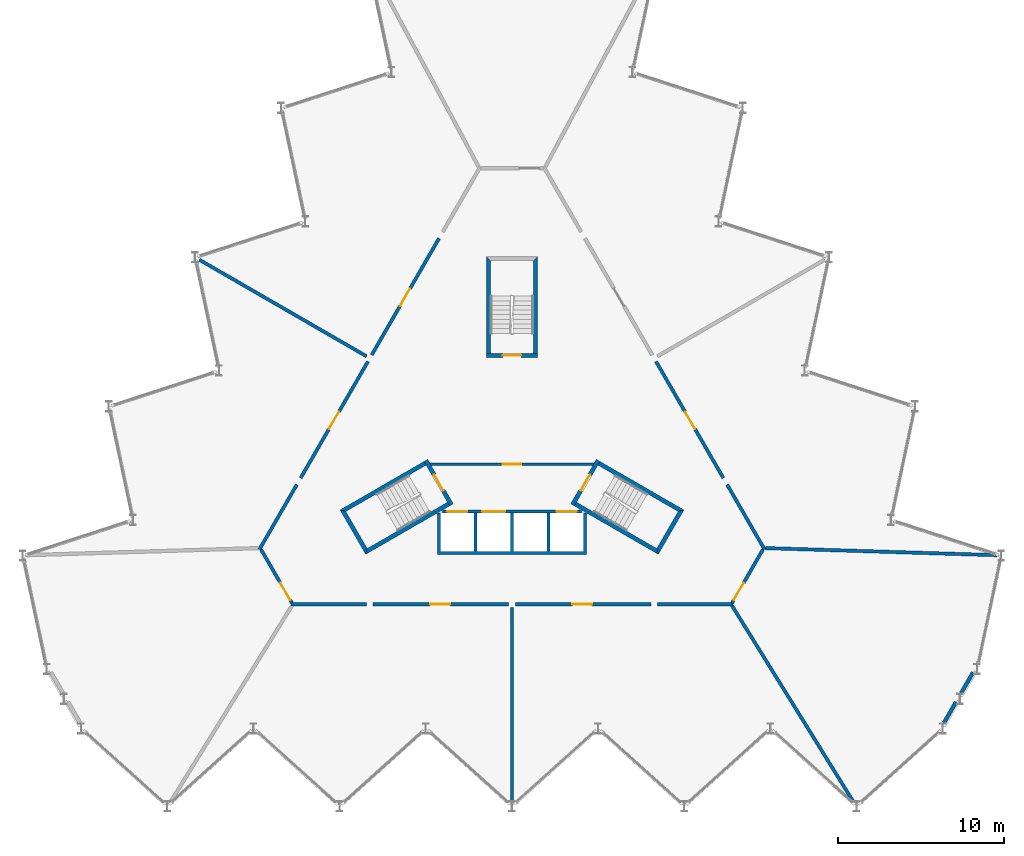
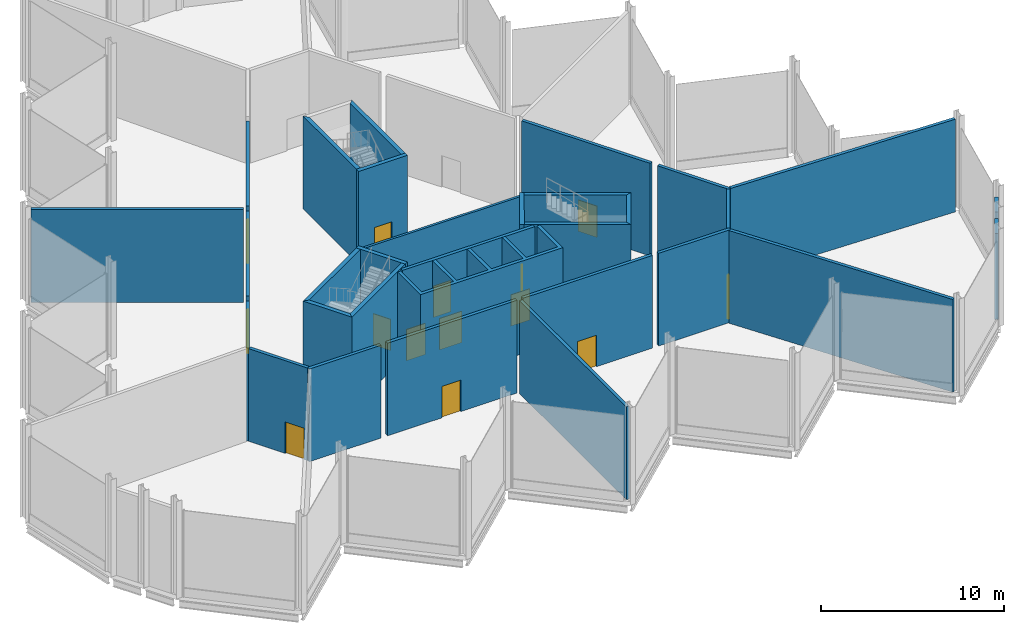
# One storey, part 10 of 12: 31 walls, 14 doors, 14 openings.
"""IFC4 building model written with IfcOpenShell, lengths in metres."""

from ifc_helpers import new_model, si_unit, direction, frame, frame_2d, origin, place, context, subcontext, project, spatial, polyline, rectangle, outline, extrude, material, layer, layer_set, type_object, element, fill, save


model = new_model("IFC4")

# Units and contexts
model_context = context("Model", 3, precision=1e-05, world=origin(), true_north=direction((0.0, 1.0)))
body_context = subcontext(model_context, "Body", "Model", "MODEL_VIEW")
ifc_project = project(units=[si_unit("LENGTHUNIT", "METRE"), si_unit("AREAUNIT", "SQUARE_METRE"), si_unit("VOLUMEUNIT", "CUBIC_METRE"), si_unit("PLANEANGLEUNIT", "RADIAN"), si_unit("MASSUNIT", "GRAM", prefix="KILO")], contexts=[model_context])

# Site, building, storey
site_placement = place(None, origin())
site = spatial("IfcSite", under=ifc_project, at=site_placement, CompositionType="ELEMENT")
building_placement = place(site_placement, origin())
building = spatial("IfcBuilding", under=site, at=building_placement, Name="Cormorant Prow Tower", CompositionType="ELEMENT")
storey_placement = place(building_placement, frame((0.0, 0.0, 415.199951171875)))
storey = spatial("IfcBuildingStorey", under=building, at=storey_placement, Name="L94", CompositionType="ELEMENT", Elevation=415.199951171875)

# Wall, opening, door
ifc_material_1 = material(Name="Gypsum board partition")
ifc_layer_1 = layer(ifc_material_1, 0.14990234375)
ifc_layer_set_1 = layer_set([ifc_layer_1], Name="Gypsum board partition")
wall_type_1 = type_object("IfcWallType", Name="Core partition 150", PredefinedType="PARTITIONING", material=ifc_layer_set_1)
wall_1_placement = place(storey_placement, frame((-4.941162109375, -1.449951171875, 0.0), z_axis=(0.0, 0.0, 1.0), x_axis=(1.0, 0.0, 0.0)))
wall_1 = element("IfcWall", 1, at=wall_1_placement, inside=storey, type_object=wall_type_1, Name="Firefighting lobby partition", PredefinedType="PARTITIONING", context=body_context, shape_type="SweptSolid", body=[
    extrude(rectangle(XDim=9.88232421875, YDim=0.14990234375, at=frame_2d((4.941162109375, 0.0))), origin(), (0.0, 0.0, 1.0), 6.199951171875),
])
opening_1_placement = place(wall_1_placement, frame((4.39111328125, 0.0, 0.0)))
opening_1 = element("IfcOpeningElement", 2, at=opening_1_placement, cuts=wall_1, Name="Opening L94-C04", PredefinedType="OPENING", context=body_context, shape_type="SweptSolid", body=[
    extrude(rectangle(XDim=1.10009765625, YDim=2.10009765625, at=frame_2d((0.550048828125, 1.050048828125))), frame((0.0, 0.0849609375, 0.0), z_axis=(0.0, -1.0, 0.0), x_axis=(1.0, 0.0, 0.0)), (0.0, 0.0, 1.0), 0.169921875),
])
ifc_material_2 = material(Name="Painted steel", Category="steel")
door_type_1 = type_object("IfcDoorType", Name="Firefighting lobby door 1100x2100", OperationType="NOTDEFINED", PredefinedType="DOOR", material=ifc_material_2)
door_1_placement = place(opening_1_placement, origin())
door_1 = element("IfcDoor", 3, at=door_1_placement, inside=storey, type_object=door_type_1, Name="Firefighting lobby door", OperationType="SINGLE_SWING_LEFT", OverallHeight=2.10009765625, OverallWidth=1.10009765625, PredefinedType="DOOR", context=body_context, shape_type="SweptSolid", body=[
    extrude(rectangle(XDim=1.10009765625, YDim=2.10009765625, at=frame_2d((0.550048828125, 1.050048828125))), frame((0.0, 0.02490234375, 0.0), z_axis=(0.0, -1.0, 0.0), x_axis=(1.0, 0.0, 0.0)), (0.0, 0.0, 1.0), 0.050048828125),
])
fill(opening_1, door_1)

ifc_material_3 = material(Name="Gypsum board corridor wall")
ifc_layer_2 = layer(ifc_material_3, 0.199951171875)
ifc_layer_set_2 = layer_set([ifc_layer_2], Name="Gypsum board corridor wall")
wall_type_2 = type_object("IfcWallType", Name="Corridor wall 200", PredefinedType="PARTITIONING", material=ifc_layer_set_2)
wall_2_placement = place(storey_placement, frame((-8.381591796875, -9.905517578125, 0.0), z_axis=(0.0, 0.0, 1.0), x_axis=(1.0, 0.0, 0.0)))
wall_2 = element("IfcWall", 4, at=wall_2_placement, inside=storey, type_object=wall_type_2, Name="Corridor wall", PredefinedType="PARTITIONING", context=body_context, shape_type="SweptSolid", body=[
    extrude(rectangle(XDim=8.1845703125, YDim=0.199951171875, at=frame_2d((4.09228515625, 0.0))), origin(), (0.0, 0.0, 1.0), 6.199951171875),
])
opening_2_placement = place(wall_2_placement, frame((3.441650390625, 0.0, 0.0)))
opening_2 = element("IfcOpeningElement", 5, at=opening_2_placement, cuts=wall_2, Name="Opening L94-F03", PredefinedType="OPENING", context=body_context, shape_type="SweptSolid", body=[
    extrude(rectangle(XDim=1.199951171875, YDim=2.10009765625, at=frame_2d((0.60009765625, 1.050048828125))), frame((0.0, 0.10986328125, 0.0), z_axis=(0.0, -1.0, 0.0), x_axis=(1.0, 0.0, 0.0)), (0.0, 0.0, 1.0), 0.219970703125),
])
ifc_material_4 = material(Name="Timber door leaf", Category="wood")
door_type_2 = type_object("IfcDoorType", Name="Plant room door 1200x2100", OperationType="NOTDEFINED", PredefinedType="DOOR", material=ifc_material_4)
door_2_placement = place(opening_2_placement, origin())
door_2 = element("IfcDoor", 6, at=door_2_placement, inside=storey, type_object=door_type_2, Name="Water tank room door", OperationType="SINGLE_SWING_RIGHT", OverallHeight=2.10009765625, OverallWidth=1.199951171875, PredefinedType="DOOR", context=body_context, shape_type="SweptSolid", body=[
    extrude(rectangle(XDim=1.199951171875, YDim=2.10009765625, at=frame_2d((0.60009765625, 1.050048828125))), frame((0.0, 0.02490234375, 0.0), z_axis=(0.0, -1.0, 0.0), x_axis=(1.0, 0.0, 0.0)), (0.0, 0.0, 1.0), 0.050048828125),
])
fill(opening_2, door_2)

wall_3_placement = place(storey_placement, frame((0.197021484375, -9.905517578125, 0.0), z_axis=(0.0, 0.0, 1.0), x_axis=(1.0, 0.0, 0.0)))
wall_3 = element("IfcWall", 7, at=wall_3_placement, inside=storey, type_object=wall_type_2, Name="Corridor wall", PredefinedType="PARTITIONING", context=body_context, shape_type="SweptSolid", body=[
    extrude(rectangle(XDim=8.1845703125, YDim=0.199951171875, at=frame_2d((4.09228515625, 0.0))), origin(), (0.0, 0.0, 1.0), 6.199951171875),
])
opening_3_placement = place(wall_3_placement, frame((3.441650390625, 0.0, 0.0)))
opening_3 = element("IfcOpeningElement", 8, at=opening_3_placement, cuts=wall_3, Name="Opening L94-F04", PredefinedType="OPENING", context=body_context, shape_type="SweptSolid", body=[
    extrude(rectangle(XDim=1.199951171875, YDim=2.10009765625, at=frame_2d((0.60009765625, 1.050048828125))), frame((0.0, 0.10986328125, 0.0), z_axis=(0.0, -1.0, 0.0), x_axis=(1.0, 0.0, 0.0)), (0.0, 0.0, 1.0), 0.219970703125),
])
door_3_placement = place(opening_3_placement, origin())
door_3 = element("IfcDoor", 9, at=door_3_placement, inside=storey, type_object=door_type_2, Name="Electrical switch room door", OperationType="SINGLE_SWING_LEFT", OverallHeight=2.10009765625, OverallWidth=1.199951171875, PredefinedType="DOOR", context=body_context, shape_type="SweptSolid", body=[
    extrude(rectangle(XDim=1.199951171875, YDim=2.10009765625, at=frame_2d((0.60009765625, 1.050048828125))), frame((0.0, 0.02490234375, 0.0), z_axis=(0.0, -1.0, 0.0), x_axis=(1.0, 0.0, 0.0)), (0.0, 0.0, 1.0), 0.050048828125),
])
fill(opening_3, door_3)

wall_4_placement = place(storey_placement, frame((-8.464599609375, 5.14990234375, 0.0), z_axis=(0.0, 0.0, 1.0), x_axis=(0.499992155518, 0.866029932751, 0.0)))
wall_4 = element("IfcWall", 10, at=wall_4_placement, inside=storey, type_object=wall_type_2, Name="Corridor wall", PredefinedType="PARTITIONING", context=body_context, shape_type="SweptSolid", body=[
    extrude(rectangle(XDim=8.123291015625, YDim=0.199951171875, at=frame_2d((4.0615234375, 0.0))), origin(), (0.0, 0.0, 1.0), 6.199951171875),
])
opening_4_placement = place(wall_4_placement, frame((3.41162109375, 0.0, 0.0)))
opening_4 = element("IfcOpeningElement", 11, at=opening_4_placement, cuts=wall_4, Name="Opening L94-F07", PredefinedType="OPENING", context=body_context, shape_type="SweptSolid", body=[
    extrude(rectangle(XDim=1.199951171875, YDim=2.10009765625, at=frame_2d((0.60009765625, 1.050048828125))), frame((0.0, 0.10986328125, 0.0), z_axis=(0.0, -1.0, 0.0), x_axis=(1.0, 0.0, 0.0)), (0.0, 0.0, 1.0), 0.219970703125),
])
door_4_placement = place(opening_4_placement, origin())
door_4 = element("IfcDoor", 12, at=door_4_placement, inside=storey, type_object=door_type_2, Name="Lift machine room door", OperationType="SINGLE_SWING_LEFT", OverallHeight=2.10009765625, OverallWidth=1.199951171875, PredefinedType="DOOR", context=body_context, shape_type="SweptSolid", body=[
    extrude(rectangle(XDim=1.199951171875, YDim=2.10009765625, at=frame_2d((0.60009765625, 1.050048828125))), frame((0.0, 0.02490234375, 0.0), z_axis=(0.0, -1.0, 0.0), x_axis=(1.0, 0.0, 0.0)), (0.0, 0.0, 1.0), 0.050048828125),
])
fill(opening_4, door_4)

wall_5_placement = place(storey_placement, frame((-12.75390625, -2.279296875, 0.0), z_axis=(0.0, 0.0, 1.0), x_axis=(0.500001682468, 0.866024432409, 0.0)))
wall_5 = element("IfcWall", 13, at=wall_5_placement, inside=storey, type_object=wall_type_2, Name="Corridor wall", PredefinedType="PARTITIONING", context=body_context, shape_type="SweptSolid", body=[
    extrude(rectangle(XDim=8.12353515625, YDim=0.199951171875, at=frame_2d((4.061767578125, 0.0))), origin(), (0.0, 0.0, 1.0), 6.199951171875),
])
opening_5_placement = place(wall_5_placement, frame((3.41162109375, 0.0, 0.0)))
opening_5 = element("IfcOpeningElement", 14, at=opening_5_placement, cuts=wall_5, Name="Opening L94-F05", PredefinedType="OPENING", context=body_context, shape_type="SweptSolid", body=[
    extrude(rectangle(XDim=1.199951171875, YDim=2.10009765625, at=frame_2d((0.60009765625, 1.050048828125))), frame((0.0, 0.10986328125, 0.0), z_axis=(0.0, -1.0, 0.0), x_axis=(1.0, 0.0, 0.0)), (0.0, 0.0, 1.0), 0.219970703125),
])
door_5_placement = place(opening_5_placement, origin())
door_5 = element("IfcDoor", 15, at=door_5_placement, inside=storey, type_object=door_type_2, Name="Air handling plant room door", OperationType="SINGLE_SWING_LEFT", OverallHeight=2.10009765625, OverallWidth=1.199951171875, PredefinedType="DOOR", context=body_context, shape_type="SweptSolid", body=[
    extrude(rectangle(XDim=1.199951171875, YDim=2.10009765625, at=frame_2d((0.60009765625, 1.050048828125))), frame((0.0, 0.02490234375, 0.0), z_axis=(0.0, -1.0, 0.0), x_axis=(1.0, 0.0, 0.0)), (0.0, 0.0, 1.0), 0.050048828125),
])
fill(opening_5, door_5)

wall_6_placement = place(storey_placement, frame((8.692138671875, 4.755859375, 0.0), z_axis=(0.0, 0.0, 1.0), x_axis=(0.500001682468, -0.866024432409, 0.0)))
wall_6 = element("IfcWall", 16, at=wall_6_placement, inside=storey, type_object=wall_type_2, Name="Corridor wall", PredefinedType="PARTITIONING", context=body_context, shape_type="SweptSolid", body=[
    extrude(rectangle(XDim=8.12353515625, YDim=0.199951171875, at=frame_2d((4.061767578125, 0.0))), origin(), (0.0, 0.0, 1.0), 6.199951171875),
])
opening_6_placement = place(wall_6_placement, frame((3.511962890625, 0.0, 0.0)))
opening_6 = element("IfcOpeningElement", 17, at=opening_6_placement, cuts=wall_6, Name="Opening L94-F06", PredefinedType="OPENING", context=body_context, shape_type="SweptSolid", body=[
    extrude(rectangle(XDim=1.199951171875, YDim=2.10009765625, at=frame_2d((0.60009765625, 1.050048828125))), frame((0.0, 0.10986328125, 0.0), z_axis=(0.0, -1.0, 0.0), x_axis=(1.0, 0.0, 0.0)), (0.0, 0.0, 1.0), 0.219970703125),
])
door_6_placement = place(opening_6_placement, origin())
door_6 = element("IfcDoor", 18, at=door_6_placement, inside=storey, type_object=door_type_2, Name="Damper plant room door", OperationType="SINGLE_SWING_LEFT", OverallHeight=2.10009765625, OverallWidth=1.199951171875, PredefinedType="DOOR", context=body_context, shape_type="SweptSolid", body=[
    extrude(rectangle(XDim=1.199951171875, YDim=2.10009765625, at=frame_2d((0.60009765625, 1.050048828125))), frame((0.0, 0.02490234375, 0.0), z_axis=(0.0, -1.0, 0.0), x_axis=(1.0, 0.0, 0.0)), (0.0, 0.0, 1.0), 0.050048828125),
])
fill(opening_6, door_6)

# Walls
for number, where, z_axis, x_axis, name in (
    (19, (-13.330810546875, -9.905517578125, 0.0), (0.0, 0.0, 1.0), (1.0, 0.0, 0.0), "Corridor wall"),
    (20, (8.775390625, -9.905517578125, 0.0), (0.0, 0.0, 1.0), (1.0, 0.0, 0.0), "Corridor wall"),
):
    element("IfcWall", number, at=place(storey_placement, frame(where, z_axis=z_axis, x_axis=x_axis)), inside=storey, type_object=wall_type_2, Name=name, PredefinedType="PARTITIONING", context=body_context, shape_type="SweptSolid", body=[
        extrude(rectangle(XDim=4.555419921875, YDim=0.199951171875, at=frame_2d((2.27783203125, 0.0))), origin(), (0.0, 0.0, 1.0), 6.199951171875),
    ])
for number, where, z_axis, x_axis, name in (
    (21, (-15.243896484375, -6.59228515625, 0.0), (0.0, 0.0, 1.0), (0.499974648164, 0.866040040179, 0.0), "Corridor wall"),
    (22, (12.9814453125, -2.67333984375, 0.0), (0.0, 0.0, 1.0), (0.499974648164, -0.866040040179, 0.0), "Corridor wall"),
):
    element("IfcWall", number, at=place(storey_placement, frame(where, z_axis=z_axis, x_axis=x_axis)), inside=storey, type_object=wall_type_2, Name=name, PredefinedType="PARTITIONING", context=body_context, shape_type="SweptSolid", body=[
        extrude(rectangle(XDim=4.525146484375, YDim=0.199951171875, at=frame_2d((2.2626953125, 0.0))), origin(), (0.0, 0.0, 1.0), 6.199951171875),
    ])

# Wall, opening, door
wall_7_placement = place(storey_placement, frame((-15.143798828125, -6.59228515625, 0.0), z_axis=(0.0, 0.0, 1.0), x_axis=(0.499958791762, -0.866049194065, 0.0)))
wall_7 = element("IfcWall", 23, at=wall_7_placement, inside=storey, type_object=wall_type_2, Name="Corridor wall", PredefinedType="PARTITIONING", context=body_context, shape_type="SweptSolid", body=[
    extrude(rectangle(XDim=3.725830078125, YDim=0.199951171875, at=frame_2d((1.86279296875, 0.0))), origin(), (0.0, 0.0, 1.0), 6.199951171875),
])
opening_7_placement = place(wall_7_placement, frame((2.324951171875, 0.0, 0.0)))
opening_7 = element("IfcOpeningElement", 24, at=opening_7_placement, cuts=wall_7, Name="Opening L94-F01", PredefinedType="OPENING", context=body_context, shape_type="SweptSolid", body=[
    extrude(rectangle(XDim=1.199951171875, YDim=2.10009765625, at=frame_2d((0.60009765625, 1.050048828125))), frame((0.0, 0.10986328125, 0.0), z_axis=(0.0, -1.0, 0.0), x_axis=(1.0, 0.0, 0.0)), (0.0, 0.0, 1.0), 0.219970703125),
])
door_7_placement = place(opening_7_placement, origin())
door_7 = element("IfcDoor", 25, at=door_7_placement, inside=storey, type_object=door_type_2, Name="Damper plant room door", OperationType="SINGLE_SWING_RIGHT", OverallHeight=2.10009765625, OverallWidth=1.199951171875, PredefinedType="DOOR", context=body_context, shape_type="SweptSolid", body=[
    extrude(rectangle(XDim=1.199951171875, YDim=2.10009765625, at=frame_2d((0.60009765625, 1.050048828125))), frame((0.0, 0.02490234375, 0.0), z_axis=(0.0, -1.0, 0.0), x_axis=(1.0, 0.0, 0.0)), (0.0, 0.0, 1.0), 0.050048828125),
])
fill(opening_7, door_7)

wall_8_placement = place(storey_placement, frame((13.281005859375, -9.819091796875, 0.0), z_axis=(0.0, 0.0, 1.0), x_axis=(0.499958791762, 0.866049194065, 0.0)))
wall_8 = element("IfcWall", 26, at=wall_8_placement, inside=storey, type_object=wall_type_2, Name="Corridor wall", PredefinedType="PARTITIONING", context=body_context, shape_type="SweptSolid", body=[
    extrude(rectangle(XDim=3.725830078125, YDim=0.199951171875, at=frame_2d((1.86279296875, 0.0))), origin(), (0.0, 0.0, 1.0), 6.199951171875),
])
opening_8_placement = place(wall_8_placement, frame((0.201171875, 0.0, 0.0)))
opening_8 = element("IfcOpeningElement", 27, at=opening_8_placement, cuts=wall_8, Name="Opening L94-F02", PredefinedType="OPENING", context=body_context, shape_type="SweptSolid", body=[
    extrude(rectangle(XDim=1.199951171875, YDim=2.10009765625, at=frame_2d((0.60009765625, 1.050048828125))), frame((0.0, 0.10986328125, 0.0), z_axis=(0.0, -1.0, 0.0), x_axis=(1.0, 0.0, 0.0)), (0.0, 0.0, 1.0), 0.219970703125),
])
door_8_placement = place(opening_8_placement, origin())
door_8 = element("IfcDoor", 28, at=door_8_placement, inside=storey, type_object=door_type_2, Name="Lift machine room door", OperationType="SINGLE_SWING_LEFT", OverallHeight=2.10009765625, OverallWidth=1.199951171875, PredefinedType="DOOR", context=body_context, shape_type="SweptSolid", body=[
    extrude(rectangle(XDim=1.199951171875, YDim=2.10009765625, at=frame_2d((0.60009765625, 1.050048828125))), frame((0.0, 0.02490234375, 0.0), z_axis=(0.0, -1.0, 0.0), x_axis=(1.0, 0.0, 0.0)), (0.0, 0.0, 1.0), 0.050048828125),
])
fill(opening_8, door_8)

# Walls
ifc_material_5 = material(Name="Gypsum board demising wall")
ifc_layer_3 = layer(ifc_material_5, 0.199951171875)
ifc_layer_set_3 = layer_set([ifc_layer_3], Name="Gypsum board demising wall")
wall_type_3 = type_object("IfcWallType", Name="Demising wall 200", PredefinedType="PARTITIONING", material=ifc_layer_set_3)
wall_9_placement = place(storey_placement, frame((15.293701171875, -6.508544921875, 0.0), z_axis=(0.0, 0.0, 1.0), x_axis=(0.999534583604, -0.030506002359, 0.0)))
element("IfcWall", 29, at=wall_9_placement, inside=storey, type_object=wall_type_3, Name="Demising wall", PredefinedType="PARTITIONING", context=body_context, shape_type="SweptSolid", body=[
    extrude(rectangle(XDim=13.973388671875, YDim=0.199951171875, at=frame_2d((6.98681640625, 0.0))), origin(), (0.0, 0.0, 1.0), 6.199951171875),
])
wall_10_placement = place(storey_placement, frame((13.283447265625, -9.990478515625, 0.0), z_axis=(0.0, 0.0, 1.0), x_axis=(0.526187960676, -0.850368290825, 0.0)))
element("IfcWall", 30, at=wall_10_placement, inside=storey, type_object=wall_type_3, Name="Demising wall", PredefinedType="PARTITIONING", context=body_context, shape_type="SweptSolid", body=[
    extrude(rectangle(XDim=13.92041015625, YDim=0.199951171875, at=frame_2d((6.960205078125, 0.0))), origin(), (0.0, 0.0, 1.0), 6.199951171875),
])
wall_11_placement = place(storey_placement, frame((0.0, -21.827880859375, 0.0), z_axis=(0.0, 0.0, 1.0), x_axis=(0.0, 1.0, 0.0)))
element("IfcWall", 31, at=wall_11_placement, inside=storey, type_object=wall_type_3, Name="Demising wall", PredefinedType="PARTITIONING", context=body_context, shape_type="SweptSolid", body=[
    extrude(rectangle(XDim=11.725341796875, YDim=0.199951171875, at=frame_2d((5.86279296875, 0.0))), origin(), (0.0, 0.0, 1.0), 6.199951171875),
])
wall_12_placement = place(storey_placement, frame((-18.86865234375, 10.893798828125, 0.0), z_axis=(0.0, 0.0, 1.0), x_axis=(0.866023724155, -0.500002909193, 0.0)))
element("IfcWall", 32, at=wall_12_placement, inside=storey, type_object=wall_type_3, Name="Demising wall", PredefinedType="PARTITIONING", context=body_context, shape_type="SweptSolid", body=[
    extrude(rectangle(XDim=11.65478515625, YDim=0.199951171875, at=frame_2d((5.827392578125, 0.0))), origin(), (0.0, 0.0, 1.0), 6.199951171875),
])

# Wall, openings, doors
ifc_material_6 = material(Name="Concrete 5000 psi", Category="concrete")
ifc_layer_4 = layer(ifc_material_6, 0.199951171875)
ifc_layer_set_4 = layer_set([ifc_layer_4], Name="Concrete 5000 psi")
wall_type_4 = type_object("IfcWallType", Name="Lift lobby wall 200", PredefinedType="SOLIDWALL", material=ifc_layer_set_4)
wall_13_placement = place(storey_placement, frame((-4.1865234375, -4.300048828125, 0.0), z_axis=(0.0, 0.0, 1.0), x_axis=(1.0, 0.0, 0.0)))
wall_13 = element("IfcWall", 33, at=wall_13_placement, inside=storey, type_object=wall_type_4, Name="Lift lobby wall, S block", PredefinedType="SOLIDWALL", context=body_context, shape_type="SweptSolid", body=[
    extrude(rectangle(XDim=8.373046875, YDim=0.199951171875, at=frame_2d((4.1865234375, 0.0))), origin(), (0.0, 0.0, 1.0), 6.199951171875),
])
opening_9_placement = place(wall_13_placement, frame((0.28662109375, 0.0, 0.0)))
opening_9 = element("IfcOpeningElement", 34, at=opening_9_placement, cuts=wall_13, Name="Opening L94-C01", PredefinedType="OPENING", context=body_context, shape_type="SweptSolid", body=[
    extrude(rectangle(XDim=1.199951171875, YDim=2.10009765625, at=frame_2d((0.60009765625, 1.050048828125))), frame((0.0, 0.10986328125, 0.0), z_axis=(0.0, -1.0, 0.0), x_axis=(1.0, 0.0, 0.0)), (0.0, 0.0, 1.0), 0.219970703125),
])
opening_10_placement = place(wall_13_placement, frame((2.38671875, 0.0, 0.0)))
opening_10 = element("IfcOpeningElement", 35, at=opening_10_placement, cuts=wall_13, Name="Opening L94-C02", PredefinedType="OPENING", context=body_context, shape_type="SweptSolid", body=[
    extrude(rectangle(XDim=1.39990234375, YDim=2.10009765625, at=frame_2d((0.699951171875, 1.050048828125))), frame((0.0, 0.10986328125, 0.0), z_axis=(0.0, -1.0, 0.0), x_axis=(1.0, 0.0, 0.0)), (0.0, 0.0, 1.0), 0.219970703125),
])
opening_11_placement = place(wall_13_placement, frame((6.88671875, 0.0, 0.0)))
opening_11 = element("IfcOpeningElement", 36, at=opening_11_placement, cuts=wall_13, Name="Opening L94-C03", PredefinedType="OPENING", context=body_context, shape_type="SweptSolid", body=[
    extrude(rectangle(XDim=1.199951171875, YDim=2.10009765625, at=frame_2d((0.60009765625, 1.050048828125))), frame((0.0, 0.10986328125, 0.0), z_axis=(0.0, -1.0, 0.0), x_axis=(1.0, 0.0, 0.0)), (0.0, 0.0, 1.0), 0.219970703125),
])
ifc_material_7 = material(Name="Painted steel", Category="steel")
door_type_3 = type_object("IfcDoorType", Name="Firefighting lift landing door 1200x2100", OperationType="SLIDING_TO_LEFT", PredefinedType="DOOR", material=ifc_material_7)
door_9_placement = place(opening_9_placement, origin())
door_9 = element("IfcDoor", 37, at=door_9_placement, inside=storey, type_object=door_type_3, Name="Landing door FL1", OperationType="SLIDING_TO_LEFT", OverallHeight=2.10009765625, OverallWidth=1.199951171875, PredefinedType="DOOR", context=body_context, shape_type="SweptSolid", body=[
    extrude(rectangle(XDim=1.199951171875, YDim=2.10009765625, at=frame_2d((0.60009765625, 1.050048828125))), frame((0.0, 0.02490234375, 0.0), z_axis=(0.0, -1.0, 0.0), x_axis=(1.0, 0.0, 0.0)), (0.0, 0.0, 1.0), 0.050048828125),
])
fill(opening_9, door_9)
door_10_placement = place(opening_11_placement, origin())
door_10 = element("IfcDoor", 38, at=door_10_placement, inside=storey, type_object=door_type_3, Name="Landing door FL2", OperationType="SLIDING_TO_LEFT", OverallHeight=2.10009765625, OverallWidth=1.199951171875, PredefinedType="DOOR", context=body_context, shape_type="SweptSolid", body=[
    extrude(rectangle(XDim=1.199951171875, YDim=2.10009765625, at=frame_2d((0.60009765625, 1.050048828125))), frame((0.0, 0.02490234375, 0.0), z_axis=(0.0, -1.0, 0.0), x_axis=(1.0, 0.0, 0.0)), (0.0, 0.0, 1.0), 0.050048828125),
])
fill(opening_11, door_10)
ifc_material_8 = material(Name="Painted steel", Category="steel")
door_type_4 = type_object("IfcDoorType", Name="Service lift landing door 1400x2100", OperationType="SLIDING_TO_LEFT", PredefinedType="DOOR", material=ifc_material_8)
door_11_placement = place(opening_10_placement, origin())
door_11 = element("IfcDoor", 39, at=door_11_placement, inside=storey, type_object=door_type_4, Name="Landing door SL1", OperationType="SLIDING_TO_LEFT", OverallHeight=2.10009765625, OverallWidth=1.39990234375, PredefinedType="DOOR", context=body_context, shape_type="SweptSolid", body=[
    extrude(rectangle(XDim=1.39990234375, YDim=2.10009765625, at=frame_2d((0.699951171875, 1.050048828125))), frame((0.0, 0.02490234375, 0.0), z_axis=(0.0, -1.0, 0.0), x_axis=(1.0, 0.0, 0.0)), (0.0, 0.0, 1.0), 0.050048828125),
])
fill(opening_10, door_11)

# Walls
ifc_material_9 = material(Name="Concrete 8000 psi", Category="concrete")
ifc_layer_5 = layer(ifc_material_9, 0.199951171875)
ifc_layer_set_5 = layer_set([ifc_layer_5], Name="Concrete 8000 psi")
wall_type_5 = type_object("IfcWallType", Name="Lift shaft wall 200", PredefinedType="SHEAR", material=ifc_layer_set_5)
wall_14_placement = place(storey_placement, origin())
element("IfcWall", 40, at=wall_14_placement, inside=storey, type_object=wall_type_5, Name="Lift shaft walls, S block", PredefinedType="SHEAR", context=body_context, shape_type="SweptSolid", body=[
    extrude(outline(polyline([(4.5, -4.39990234375), (4.5, -6.906005859375), (-4.5, -6.906005859375), (-4.5, -4.39990234375), (-4.300048828125, -4.39990234375), (-4.300048828125, -6.699951171875), (-2.300048828125, -6.699951171875), (-2.300048828125, -4.39990234375), (-2.10009765625, -4.39990234375), (-2.10009765625, -6.699951171875), (-0.10009765625, -6.699951171875), (-0.10009765625, -4.39990234375), (0.10009765625, -4.39990234375), (0.10009765625, -6.699951171875), (2.10009765625, -6.699951171875), (2.10009765625, -4.39990234375), (2.300048828125, -4.39990234375), (2.300048828125, -6.699951171875), (4.300048828125, -6.699951171875), (4.300048828125, -4.39990234375), (4.5, -4.39990234375)])), origin(), (0.0, 0.0, 1.0), 6.199951171875),
])
ifc_material_10 = material(Name="Concrete 8000 psi", Category="concrete")
ifc_layer_6 = layer(ifc_material_10, 0.25)
ifc_layer_set_6 = layer_set([ifc_layer_6], Name="Concrete 8000 psi")
wall_type_6 = type_object("IfcWallType", Name="Stair wall 250", PredefinedType="SHEAR", material=ifc_layer_set_6)
wall_15_placement = place(storey_placement, origin())
element("IfcWall", 41, at=wall_15_placement, inside=storey, type_object=wall_type_6, Name="Stair ST1 enclosure wall (flank)", PredefinedType="SHEAR", context=body_context, shape_type="SweptSolid", body=[
    extrude(outline(polyline([(-5.30712890625, -1.28125), (-10.37353515625, -4.206298828125), (-10.031982421875, -4.2978515625), (-5.18212890625, -1.497802734375), (-5.30712890625, -1.28125)])), origin(), (0.0, 0.0, 1.0), 6.199951171875),
])
wall_16_placement = place(storey_placement, origin())
element("IfcWall", 42, at=wall_16_placement, inside=storey, type_object=wall_type_6, Name="Stair ST1 enclosure wall (end)", PredefinedType="SHEAR", context=body_context, shape_type="SweptSolid", body=[
    extrude(outline(polyline([(-10.37353515625, -4.206298828125), (-8.82958984375, -6.880615234375), (-8.738037109375, -6.5390625), (-10.031982421875, -4.2978515625), (-10.37353515625, -4.206298828125)])), origin(), (0.0, 0.0, 1.0), 6.199951171875),
])
wall_17_placement = place(storey_placement, origin())
element("IfcWall", 43, at=wall_17_placement, inside=storey, type_object=wall_type_6, Name="Stair ST1 enclosure wall (flank)", PredefinedType="SHEAR", context=body_context, shape_type="SweptSolid", body=[
    extrude(outline(polyline([(-8.738037109375, -6.5390625), (-8.82958984375, -6.880615234375), (-3.76318359375, -3.95556640625), (-3.88818359375, -3.739013671875), (-8.738037109375, -6.5390625)])), origin(), (0.0, 0.0, 1.0), 6.199951171875),
])

# Wall, opening, door
wall_18_placement = place(storey_placement, frame((-5.198974609375, -1.21875, 0.0), z_axis=(0.0, 0.0, 1.0), x_axis=(0.499982516597, -0.866035497597, 0.0)))
wall_18 = element("IfcWall", 44, at=wall_18_placement, inside=storey, type_object=wall_type_6, Name="Stair ST1 door wall", PredefinedType="SHEAR", context=body_context, shape_type="SweptSolid", body=[
    extrude(rectangle(XDim=3.087890625, YDim=0.25, at=frame_2d((1.5439453125, 0.0))), origin(), (0.0, 0.0, 1.0), 6.199951171875),
])
opening_12_placement = place(wall_18_placement, frame((0.993896484375, 0.0, 0.0)))
opening_12 = element("IfcOpeningElement", 45, at=opening_12_placement, cuts=wall_18, Name="Opening L94-C05", PredefinedType="OPENING", context=body_context, shape_type="SweptSolid", body=[
    extrude(rectangle(XDim=1.10009765625, YDim=2.10009765625, at=frame_2d((0.550048828125, 1.050048828125))), frame((0.0, 0.135009765625, 0.0), z_axis=(0.0, -1.0, 0.0), x_axis=(1.0, 0.0, 0.0)), (0.0, 0.0, 1.0), 0.27001953125),
])
ifc_material_11 = material(Name="Painted steel", Category="steel")
door_type_5 = type_object("IfcDoorType", Name="Stair door 1100x2100", OperationType="NOTDEFINED", PredefinedType="DOOR", material=ifc_material_11)
door_12_placement = place(opening_12_placement, origin())
door_12 = element("IfcDoor", 46, at=door_12_placement, inside=storey, type_object=door_type_5, Name="Stair ST1 door", OperationType="SINGLE_SWING_LEFT", OverallHeight=2.10009765625, OverallWidth=1.10009765625, PredefinedType="DOOR", context=body_context, shape_type="SweptSolid", body=[
    extrude(rectangle(XDim=1.10009765625, YDim=2.10009765625, at=frame_2d((0.550048828125, 1.050048828125))), frame((0.0, 0.02490234375, 0.0), z_axis=(0.0, -1.0, 0.0), x_axis=(1.0, 0.0, 0.0)), (0.0, 0.0, 1.0), 0.050048828125),
])
fill(opening_12, door_12)

# Walls
wall_19_placement = place(storey_placement, origin())
element("IfcWall", 47, at=wall_19_placement, inside=storey, type_object=wall_type_6, Name="Stair ST2 enclosure wall (flank)", PredefinedType="SHEAR", context=body_context, shape_type="SweptSolid", body=[
    extrude(outline(polyline([(3.76318359375, -3.95556640625), (8.82958984375, -6.880615234375), (8.738037109375, -6.5390625), (3.88818359375, -3.739013671875), (3.76318359375, -3.95556640625)])), origin(), (0.0, 0.0, 1.0), 6.199951171875),
])
wall_20_placement = place(storey_placement, origin())
element("IfcWall", 48, at=wall_20_placement, inside=storey, type_object=wall_type_6, Name="Stair ST2 enclosure wall (end)", PredefinedType="SHEAR", context=body_context, shape_type="SweptSolid", body=[
    extrude(outline(polyline([(8.82958984375, -6.880615234375), (10.37353515625, -4.206298828125), (10.031982421875, -4.2978515625), (8.738037109375, -6.5390625), (8.82958984375, -6.880615234375)])), origin(), (0.0, 0.0, 1.0), 6.199951171875),
])
wall_21_placement = place(storey_placement, origin())
element("IfcWall", 49, at=wall_21_placement, inside=storey, type_object=wall_type_6, Name="Stair ST2 enclosure wall (flank)", PredefinedType="SHEAR", context=body_context, shape_type="SweptSolid", body=[
    extrude(outline(polyline([(10.031982421875, -4.2978515625), (10.37353515625, -4.206298828125), (5.30712890625, -1.28125), (5.18212890625, -1.497802734375), (10.031982421875, -4.2978515625)])), origin(), (0.0, 0.0, 1.0), 6.199951171875),
])

# Wall, opening, door
wall_22_placement = place(storey_placement, frame((3.655029296875, -3.89306640625, 0.0), z_axis=(0.0, 0.0, 1.0), x_axis=(0.499982516597, 0.866035497597, 0.0)))
wall_22 = element("IfcWall", 50, at=wall_22_placement, inside=storey, type_object=wall_type_6, Name="Stair ST2 door wall", PredefinedType="SHEAR", context=body_context, shape_type="SweptSolid", body=[
    extrude(rectangle(XDim=3.087890625, YDim=0.25, at=frame_2d((1.5439453125, 0.0))), origin(), (0.0, 0.0, 1.0), 6.199951171875),
])
opening_13_placement = place(wall_22_placement, frame((0.993896484375, 0.0, 0.0)))
opening_13 = element("IfcOpeningElement", 51, at=opening_13_placement, cuts=wall_22, Name="Opening L94-C06", PredefinedType="OPENING", context=body_context, shape_type="SweptSolid", body=[
    extrude(rectangle(XDim=1.10009765625, YDim=2.10009765625, at=frame_2d((0.550048828125, 1.050048828125))), frame((0.0, 0.135009765625, 0.0), z_axis=(0.0, -1.0, 0.0), x_axis=(1.0, 0.0, 0.0)), (0.0, 0.0, 1.0), 0.27001953125),
])
door_13_placement = place(opening_13_placement, origin())
door_13 = element("IfcDoor", 52, at=door_13_placement, inside=storey, type_object=door_type_5, Name="Stair ST2 door", OperationType="SINGLE_SWING_RIGHT", OverallHeight=2.10009765625, OverallWidth=1.10009765625, PredefinedType="DOOR", context=body_context, shape_type="SweptSolid", body=[
    extrude(rectangle(XDim=1.10009765625, YDim=2.10009765625, at=frame_2d((0.550048828125, 1.050048828125))), frame((0.0, 0.02490234375, 0.0), z_axis=(0.0, -1.0, 0.0), x_axis=(1.0, 0.0, 0.0)), (0.0, 0.0, 1.0), 0.050048828125),
])
fill(opening_13, door_13)

# Walls
wall_23_placement = place(storey_placement, origin())
element("IfcWall", 53, at=wall_23_placement, inside=storey, type_object=wall_type_6, Name="Stair ST3 enclosure wall (flank)", PredefinedType="SHEAR", context=body_context, shape_type="SweptSolid", body=[
    extrude(outline(polyline([(1.5439453125, 5.23681640625), (1.5439453125, 11.0869140625), (1.2939453125, 10.8369140625), (1.2939453125, 5.23681640625), (1.5439453125, 5.23681640625)])), origin(), (0.0, 0.0, 1.0), 6.199951171875),
])
wall_24_placement = place(storey_placement, origin())
element("IfcWall", 54, at=wall_24_placement, inside=storey, type_object=wall_type_6, Name="Stair ST3 enclosure wall (flank)", PredefinedType="SHEAR", context=body_context, shape_type="SweptSolid", body=[
    extrude(outline(polyline([(-1.2939453125, 10.8369140625), (-1.5439453125, 11.0869140625), (-1.5439453125, 5.23681640625), (-1.2939453125, 5.23681640625), (-1.2939453125, 10.8369140625)])), origin(), (0.0, 0.0, 1.0), 6.199951171875),
])

# Wall, opening, door
wall_25_placement = place(storey_placement, frame((1.5439453125, 5.11181640625, 0.0), z_axis=(0.0, 0.0, 1.0), x_axis=(-1.0, 0.0, 0.0)))
wall_25 = element("IfcWall", 55, at=wall_25_placement, inside=storey, type_object=wall_type_6, Name="Stair ST3 door wall", PredefinedType="SHEAR", context=body_context, shape_type="SweptSolid", body=[
    extrude(rectangle(XDim=3.087890625, YDim=0.25, at=frame_2d((1.5439453125, 0.0))), origin(), (0.0, 0.0, 1.0), 6.199951171875),
])
opening_14_placement = place(wall_25_placement, frame((0.993896484375, 0.0, 0.0)))
opening_14 = element("IfcOpeningElement", 56, at=opening_14_placement, cuts=wall_25, Name="Opening L94-C07", PredefinedType="OPENING", context=body_context, shape_type="SweptSolid", body=[
    extrude(rectangle(XDim=1.10009765625, YDim=2.10009765625, at=frame_2d((0.550048828125, 1.050048828125))), frame((0.0, 0.135009765625, 0.0), z_axis=(0.0, -1.0, 0.0), x_axis=(1.0, 0.0, 0.0)), (0.0, 0.0, 1.0), 0.27001953125),
])
door_14_placement = place(opening_14_placement, origin())
door_14 = element("IfcDoor", 57, at=door_14_placement, inside=storey, type_object=door_type_5, Name="Stair ST3 door", OperationType="SINGLE_SWING_LEFT", OverallHeight=2.10009765625, OverallWidth=1.10009765625, PredefinedType="DOOR", context=body_context, shape_type="SweptSolid", body=[
    extrude(rectangle(XDim=1.10009765625, YDim=2.10009765625, at=frame_2d((0.550048828125, 1.050048828125))), frame((0.0, 0.02490234375, 0.0), z_axis=(0.0, -1.0, 0.0), x_axis=(1.0, 0.0, 0.0)), (0.0, 0.0, 1.0), 0.050048828125),
])
fill(opening_14, door_14)

# Walls
ifc_material_12 = material(Name="Terracotta", Category="masonry")
ifc_layer_7 = layer(ifc_material_12, 0.22998046875)
ifc_layer_set_7 = layer_set([ifc_layer_7], Name="Terracotta")
wall_type_7 = type_object("IfcWallType", Name="Terracotta crown cladding wall 230", PredefinedType="SOLIDWALL", material=ifc_layer_set_7)
for number, where, z_axis, x_axis, name in (
    (58, (26.0732421875, -17.048828125, 0.0), (0.0, 0.0, 1.0), (0.500001025616, 0.866024811644, 0.0), "Terracotta crown wall ESE00"),
    (59, (27.110107421875, -15.2529296875, 0.0), (0.0, 0.0, 1.0), (0.500001025616, 0.866024811644, 0.0), "Terracotta crown wall ESE01"),
):
    element("IfcWall", number, at=place(storey_placement, frame(where, z_axis=z_axis, x_axis=x_axis)), inside=storey, type_object=wall_type_7, Name=name, PredefinedType="SOLIDWALL", context=body_context, shape_type="SweptSolid", body=[
        extrude(rectangle(XDim=1.44140625, YDim=0.22998046875, at=frame_2d((0.720703125, 0.0))), origin(), (0.0, 0.0, 1.0), 5.73388671875),
    ])

save(model, "model.ifc")
